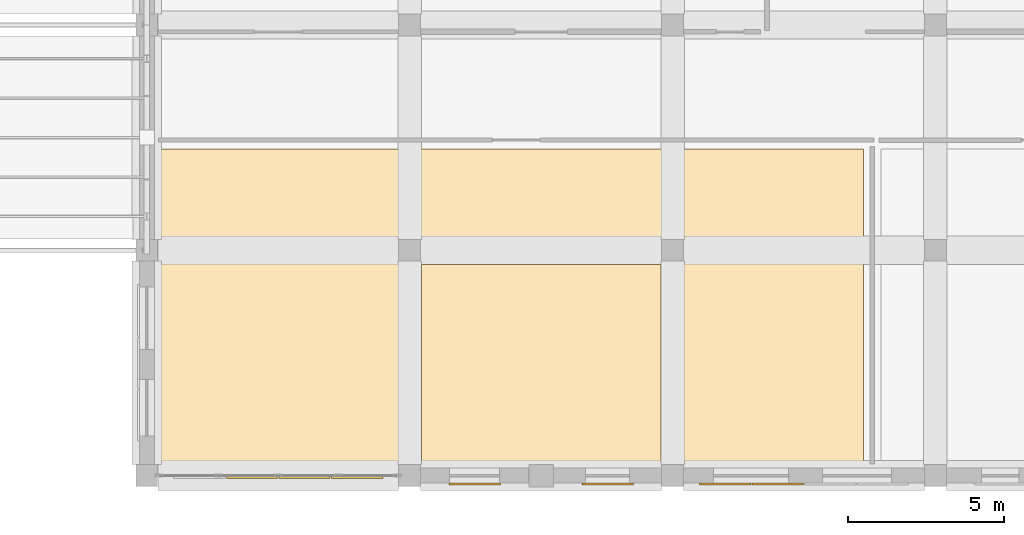
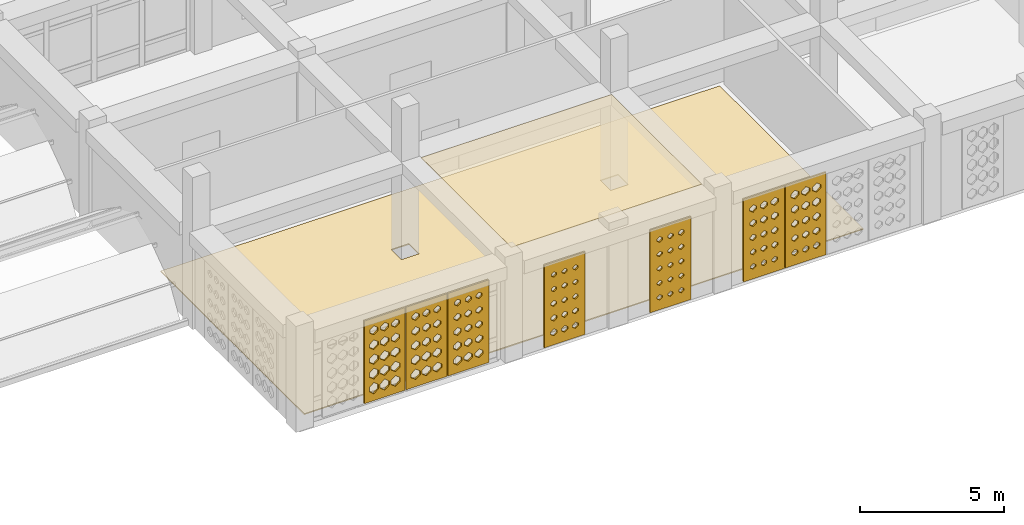
# One storey, part 79 of 100: 9 coverings.
"""IFC4 building model written with IfcOpenShell, lengths in metres."""

from ifc_helpers import new_model, si_unit, derived_unit, direction, frame, origin, place, context, subcontext, project, spatial, polyline, outline, extrude, material, layer, layer_set, type_object, element, save


model = new_model("IFC4")

# Units and contexts
model_context = context("Model", 3, precision=1e-05, world=origin(), true_north=direction((0.0, 1.0)))
body_context = subcontext(model_context, "Body", "Model", "MODEL_VIEW")
ifc_project = project(units=[si_unit("LENGTHUNIT", "METRE"), si_unit("AREAUNIT", "SQUARE_METRE"), si_unit("VOLUMEUNIT", "CUBIC_METRE"), si_unit("PLANEANGLEUNIT", "RADIAN"), si_unit("MASSUNIT", "GRAM", prefix="KILO"), derived_unit("THERMALTRANSMITTANCEUNIT", [(si_unit("POWERUNIT", "WATT"), 1), (si_unit("LENGTHUNIT", "METRE"), -2), (si_unit("THERMODYNAMICTEMPERATUREUNIT", "KELVIN"), -1)])], contexts=[model_context])

# Site, building, storey
site_placement = place(None, origin())
site = spatial("IfcSite", under=ifc_project, at=site_placement, CompositionType="ELEMENT")
building_placement = place(site_placement, origin())
building = spatial("IfcBuilding", under=site, at=building_placement, Name="Veybourne Emporium", CompositionType="ELEMENT")
storey_placement = place(building_placement, frame((0.0, 0.0, 14.39990234375)))
storey = spatial("IfcBuildingStorey", under=building, at=storey_placement, Name="L03", CompositionType="ELEMENT", Elevation=14.39990234375)

# Coverings
ifc_material_1 = material(Name="Mineral Acoustic Ceiling", Category="gypsum")
ifc_layer_1 = layer(ifc_material_1, 0.02490234375)
ifc_layer_set_1 = layer_set([ifc_layer_1], Name="Mineral Acoustic Ceiling")
covering_type_1 = type_object("IfcCoveringType", Name="Ceiling_CLG-01", PredefinedType="CEILING", material=ifc_layer_set_1)
covering_1_placement = place(storey_placement, frame((0.0, 0.0, 4.155029296875)))
element("IfcCovering", 1, at=covering_1_placement, inside=storey, type_object=covering_type_1, Name="L03 coffered acoustic ceiling 03", PredefinedType="CEILING", context=body_context, shape_type="SweptSolid", body=[
    extrude(outline(polyline([(108.826904296875, 6.751953125), (108.826904296875, 0.472900390625), (101.173095703125, 0.472900390625), (101.173095703125, 6.751953125), (108.826904296875, 6.751953125)])), origin(), (0.0, 0.0, 1.0), 0.025146484375),
])
ifc_material_2 = material(Name="Venetian Terrazzo Flooring", Category="masonry")
ifc_layer_2 = layer(ifc_material_2, 0.044921875)
ifc_layer_set_2 = layer_set([ifc_layer_2], Name="Venetian Terrazzo Flooring")
covering_type_2 = type_object("IfcCoveringType", Name="Flooring_FLR-01", PredefinedType="FLOORING", material=ifc_layer_set_2)
covering_2_placement = place(storey_placement, origin())
element("IfcCovering", 2, at=covering_2_placement, inside=storey, type_object=covering_type_2, Name="L03 floor finish 03", PredefinedType="FLOORING", context=body_context, shape_type="SweptSolid", body=[
    extrude(outline(polyline([(92.840087890625, 10.43994140625), (115.300048828125, 10.43994140625), (115.300048828125, 0.43994140625), (92.840087890625, 0.43994140625), (92.840087890625, 10.43994140625)]), holes=[polyline([(109.554931640625, 7.554931640625), (108.844970703125, 7.554931640625), (108.844970703125, 6.844970703125), (109.554931640625, 6.844970703125), (109.554931640625, 7.554931640625)]), polyline([(100.445068359375, 7.554931640625), (100.445068359375, 6.844970703125), (101.155029296875, 6.844970703125), (101.155029296875, 7.554931640625), (100.445068359375, 7.554931640625)])]), origin(), (0.0, 0.0, 1.0), 0.045166015625),
])
ifc_material_3 = material(Name="Warm-White Perforated Aluminium Screen Alloy", Category="aluminium")
ifc_layer_3 = layer(ifc_material_3, 0.06005859375)
ifc_layer_set_3 = layer_set([ifc_layer_3], Name="Warm-White Perforated Aluminium Screen Alloy")
covering_type_3 = type_object("IfcCoveringType", Name="WaveScreen_SCR-01", PredefinedType="CLADDING", material=ifc_layer_set_3)
covering_3_placement = place(storey_placement, frame((99.1201171875, -0.096923828125, 1.815185546875), z_axis=(0.0, 1.0, 0.0), x_axis=(-1.0, 0.0, 0.0)))
element("IfcCovering", 3, at=covering_3_placement, inside=storey, type_object=covering_type_3, Name="L03 wave-perforated aluminium screen SCR-01 (48C.1)", PredefinedType="CLADDING", context=body_context, shape_type="SweptSolid", body=[
    extrude(outline(polyline([(-0.81982421875, -1.7548828125), (0.81982421875, -1.7548828125), (0.81982421875, 1.7548828125), (-0.81982421875, 1.7548828125), (-0.81982421875, -1.7548828125)]), holes=[polyline([(-0.433349609375, -1.044921875), (-0.2734375, -1.162109375), (-0.2734375, -1.2939453125), (-0.433349609375, -1.4111328125), (-0.59326171875, -1.2939453125), (-0.59326171875, -1.162109375), (-0.433349609375, -1.044921875)]), polyline([(-0.433349609375, -0.444580078125), (-0.284912109375, -0.552978515625), (-0.284912109375, -0.675048828125), (-0.433349609375, -0.783203125), (-0.581787109375, -0.675048828125), (-0.581787109375, -0.552978515625), (-0.433349609375, -0.444580078125)]), polyline([(-0.433349609375, 0.156005859375), (-0.295654296875, 0.05615234375), (-0.295654296875, -0.05615234375), (-0.433349609375, -0.156005859375), (-0.571044921875, -0.05615234375), (-0.571044921875, 0.05615234375), (-0.433349609375, 0.156005859375)]), polyline([(-0.433349609375, 0.758056640625), (-0.305419921875, 0.665771484375), (-0.305419921875, 0.562255859375), (-0.433349609375, 0.469970703125), (-0.56103515625, 0.562255859375), (-0.56103515625, 0.665771484375), (-0.433349609375, 0.758056640625)]), polyline([(-0.433349609375, 1.361328125), (-0.314208984375, 1.27587890625), (-0.314208984375, 1.179931640625), (-0.433349609375, 1.0947265625), (-0.552490234375, 1.179931640625), (-0.552490234375, 1.27587890625), (-0.433349609375, 1.361328125)]), polyline([(0.0, -1.038330078125), (0.165283203125, -1.15966796875), (0.165283203125, -1.29638671875), (0.0, -1.41748046875), (-0.165283203125, -1.29638671875), (-0.165283203125, -1.15966796875), (0.0, -1.038330078125)]), polyline([(0.0, -0.4384765625), (0.153564453125, -0.55078125), (0.153564453125, -0.67724609375), (0.0, -0.78955078125), (-0.153564453125, -0.67724609375), (-0.153564453125, -0.55078125), (0.0, -0.4384765625)]), polyline([(0.0, 0.162109375), (0.142578125, 0.058349609375), (0.142578125, -0.058349609375), (0.0, -0.162109375), (-0.142578125, -0.058349609375), (-0.142578125, 0.058349609375), (0.0, 0.162109375)]), polyline([(0.0, 0.76318359375), (0.132080078125, 0.667724609375), (0.132080078125, 0.560302734375), (0.0, 0.464599609375), (-0.132080078125, 0.560302734375), (-0.132080078125, 0.667724609375), (0.0, 0.76318359375)]), polyline([(0.0, 1.365966796875), (0.122802734375, 1.277587890625), (0.122802734375, 1.17822265625), (0.0, 1.090087890625), (-0.122802734375, 1.17822265625), (-0.122802734375, 1.277587890625), (0.0, 1.365966796875)]), polyline([(0.433349609375, -1.031982421875), (0.603759765625, -1.157470703125), (0.603759765625, -1.298583984375), (0.433349609375, -1.424072265625), (0.262939453125, -1.298583984375), (0.262939453125, -1.157470703125), (0.433349609375, -1.031982421875)]), polyline([(0.433349609375, -0.43212890625), (0.59228515625, -0.548583984375), (0.59228515625, -0.679443359375), (0.433349609375, -0.7958984375), (0.2744140625, -0.679443359375), (0.2744140625, -0.548583984375), (0.433349609375, -0.43212890625)]), polyline([(0.433349609375, 0.168212890625), (0.580810546875, 0.060546875), (0.580810546875, -0.060546875), (0.433349609375, -0.168212890625), (0.285888671875, -0.060546875), (0.285888671875, 0.060546875), (0.433349609375, 0.168212890625)]), polyline([(0.433349609375, 0.76904296875), (0.570068359375, 0.669921875), (0.570068359375, 0.55810546875), (0.433349609375, 0.458984375), (0.296630859375, 0.55810546875), (0.296630859375, 0.669921875), (0.433349609375, 0.76904296875)]), polyline([(0.433349609375, 1.370849609375), (0.560302734375, 1.279541015625), (0.560302734375, 1.176513671875), (0.433349609375, 1.085205078125), (0.306396484375, 1.176513671875), (0.306396484375, 1.279541015625), (0.433349609375, 1.370849609375)])]), origin(), (0.0, 0.0, 1.0), 0.06005859375),
])
covering_4_placement = place(storey_placement, frame((107.125, -0.298095703125, 1.815185546875), z_axis=(0.0, 1.0, 0.0), x_axis=(-1.0, 0.0, 0.0)))
element("IfcCovering", 4, at=covering_4_placement, inside=storey, type_object=covering_type_3, Name="L03 wave-perforated aluminium screen SCR-01 (60A.1)", PredefinedType="CLADDING", context=body_context, shape_type="SweptSolid", body=[
    extrude(outline(polyline([(-0.81982421875, -1.7548828125), (0.81982421875, -1.7548828125), (0.81982421875, 1.7548828125), (-0.81982421875, 1.7548828125), (-0.81982421875, -1.7548828125)]), holes=[polyline([(-0.433349609375, -1.117919921875), (-0.333251953125, -1.1884765625), (-0.333251953125, -1.267578125), (-0.433349609375, -1.338134765625), (-0.533447265625, -1.267578125), (-0.533447265625, -1.1884765625), (-0.433349609375, -1.117919921875)]), polyline([(-0.433349609375, -0.50341796875), (-0.3330078125, -0.57421875), (-0.3330078125, -0.65380859375), (-0.433349609375, -0.724609375), (-0.53369140625, -0.65380859375), (-0.53369140625, -0.57421875), (-0.433349609375, -0.50341796875)]), polyline([(-0.433349609375, 0.113525390625), (-0.33056640625, 0.040771484375), (-0.33056640625, -0.040771484375), (-0.433349609375, -0.113525390625), (-0.5361328125, -0.040771484375), (-0.5361328125, 0.040771484375), (-0.433349609375, 0.113525390625)]), polyline([(-0.433349609375, 0.732666015625), (-0.326171875, 0.65673828125), (-0.326171875, 0.5712890625), (-0.433349609375, 0.495361328125), (-0.540283203125, 0.5712890625), (-0.540283203125, 0.65673828125), (-0.433349609375, 0.732666015625)]), polyline([(-0.433349609375, 1.35400390625), (-0.3203125, 1.2734375), (-0.3203125, 1.1826171875), (-0.433349609375, 1.101806640625), (-0.54638671875, 1.1826171875), (-0.54638671875, 1.2734375), (-0.433349609375, 1.35400390625)]), polyline([(0.0, -1.1171875), (0.1005859375, -1.18798828125), (0.1005859375, -1.267822265625), (0.0, -1.338623046875), (-0.1005859375, -1.267822265625), (-0.1005859375, -1.18798828125), (0.0, -1.1171875)]), polyline([(0.0, -0.50390625), (0.10009765625, -0.574462890625), (0.10009765625, -0.653564453125), (0.0, -0.72412109375), (-0.10009765625, -0.653564453125), (-0.10009765625, -0.574462890625), (0.0, -0.50390625)]), polyline([(0.0, 0.11181640625), (0.1015625, 0.040283203125), (0.1015625, -0.040283203125), (0.0, -0.11181640625), (-0.1015625, -0.040283203125), (-0.1015625, 0.040283203125), (0.0, 0.11181640625)]), polyline([(0.0, 0.72998046875), (0.10498046875, 0.65576171875), (0.10498046875, 0.572265625), (0.0, 0.498046875), (-0.10498046875, 0.572265625), (-0.10498046875, 0.65576171875), (0.0, 0.72998046875)]), polyline([(0.0, 1.350341796875), (0.110107421875, 1.272216796875), (0.110107421875, 1.183837890625), (0.0, 1.105712890625), (-0.110107421875, 1.183837890625), (-0.110107421875, 1.272216796875), (0.0, 1.350341796875)]), polyline([(0.433349609375, -1.1162109375), (0.534912109375, -1.187744140625), (0.534912109375, -1.268310546875), (0.433349609375, -1.33984375), (0.331787109375, -1.268310546875), (0.331787109375, -1.187744140625), (0.433349609375, -1.1162109375)]), polyline([(0.433349609375, -0.50390625), (0.533447265625, -0.574462890625), (0.533447265625, -0.653564453125), (0.433349609375, -0.72412109375), (0.333251953125, -0.653564453125), (0.333251953125, -0.574462890625), (0.433349609375, -0.50390625)]), polyline([(0.433349609375, 0.110595703125), (0.533935546875, 0.039794921875), (0.533935546875, -0.039794921875), (0.433349609375, -0.110595703125), (0.332763671875, -0.039794921875), (0.332763671875, 0.039794921875), (0.433349609375, 0.110595703125)]), polyline([(0.433349609375, 0.727783203125), (0.53662109375, 0.655029296875), (0.53662109375, 0.572998046875), (0.433349609375, 0.500244140625), (0.330078125, 0.572998046875), (0.330078125, 0.655029296875), (0.433349609375, 0.727783203125)]), polyline([(0.433349609375, 1.347412109375), (0.541015625, 1.27099609375), (0.541015625, 1.18505859375), (0.433349609375, 1.108642578125), (0.32568359375, 1.18505859375), (0.32568359375, 1.27099609375), (0.433349609375, 1.347412109375)])]), origin(), (0.0, 0.0, 1.0), 0.06005859375),
])
covering_5_placement = place(storey_placement, frame((102.875, -0.298095703125, 1.815185546875), z_axis=(0.0, 1.0, 0.0), x_axis=(-1.0, 0.0, 0.0)))
element("IfcCovering", 5, at=covering_5_placement, inside=storey, type_object=covering_type_3, Name="L03 wave-perforated aluminium screen SCR-01 (60B.1)", PredefinedType="CLADDING", context=body_context, shape_type="SweptSolid", body=[
    extrude(outline(polyline([(-0.81982421875, -1.7548828125), (0.81982421875, -1.7548828125), (0.81982421875, 1.7548828125), (-0.81982421875, 1.7548828125), (-0.81982421875, -1.7548828125)]), holes=[polyline([(-0.433349609375, -1.091796875), (-0.31201171875, -1.178955078125), (-0.31201171875, -1.277099609375), (-0.433349609375, -1.364013671875), (-0.5546875, -1.277099609375), (-0.5546875, -1.178955078125), (-0.433349609375, -1.091796875)]), polyline([(-0.433349609375, -0.4873046875), (-0.319580078125, -0.568359375), (-0.319580078125, -0.65966796875), (-0.433349609375, -0.740478515625), (-0.547119140625, -0.65966796875), (-0.547119140625, -0.568359375), (-0.433349609375, -0.4873046875)]), polyline([(-0.433349609375, 0.119140625), (-0.325927734375, 0.04296875), (-0.325927734375, -0.04296875), (-0.433349609375, -0.119140625), (-0.540771484375, -0.04296875), (-0.540771484375, 0.04296875), (-0.433349609375, 0.119140625)]), polyline([(-0.433349609375, 0.727783203125), (-0.330322265625, 0.65478515625), (-0.330322265625, 0.572998046875), (-0.433349609375, 0.500244140625), (-0.536376953125, 0.572998046875), (-0.536376953125, 0.65478515625), (-0.433349609375, 0.727783203125)]), polyline([(-0.433349609375, 1.338623046875), (-0.332763671875, 1.267822265625), (-0.332763671875, 1.18798828125), (-0.433349609375, 1.1171875), (-0.533935546875, 1.18798828125), (-0.533935546875, 1.267822265625), (-0.433349609375, 1.338623046875)]), polyline([(0.0, -1.0869140625), (0.125244140625, -1.17724609375), (0.125244140625, -1.27880859375), (0.0, -1.368896484375), (-0.125244140625, -1.27880859375), (-0.125244140625, -1.17724609375), (0.0, -1.0869140625)]), polyline([(0.0, -0.4833984375), (0.116943359375, -0.56689453125), (0.116943359375, -0.6611328125), (0.0, -0.74462890625), (-0.116943359375, -0.6611328125), (-0.116943359375, -0.56689453125), (0.0, -0.4833984375)]), polyline([(0.0, 0.122314453125), (0.110107421875, 0.0439453125), (0.110107421875, -0.0439453125), (0.0, -0.122314453125), (-0.110107421875, -0.0439453125), (-0.110107421875, 0.0439453125), (0.0, 0.122314453125)]), polyline([(0.0, 0.72998046875), (0.104736328125, 0.65576171875), (0.104736328125, 0.572265625), (0.0, 0.498046875), (-0.104736328125, 0.572265625), (-0.104736328125, 0.65576171875), (0.0, 0.72998046875)]), polyline([(0.0, 1.33984375), (0.1015625, 1.268310546875), (0.1015625, 1.187744140625), (0.0, 1.1162109375), (-0.1015625, 1.187744140625), (-0.1015625, 1.268310546875), (0.0, 1.33984375)]), polyline([(0.433349609375, -1.081787109375), (0.56298828125, -1.17529296875), (0.56298828125, -1.280517578125), (0.433349609375, -1.374267578125), (0.3037109375, -1.280517578125), (0.3037109375, -1.17529296875), (0.433349609375, -1.081787109375)]), polyline([(0.433349609375, -0.478759765625), (0.553955078125, -0.565185546875), (0.553955078125, -0.66259765625), (0.433349609375, -0.749267578125), (0.312744140625, -0.66259765625), (0.312744140625, -0.565185546875), (0.433349609375, -0.478759765625)]), polyline([(0.433349609375, 0.1259765625), (0.54638671875, 0.04541015625), (0.54638671875, -0.04541015625), (0.433349609375, -0.1259765625), (0.3203125, -0.04541015625), (0.3203125, 0.04541015625), (0.433349609375, 0.1259765625)]), polyline([(0.433349609375, 0.732421875), (0.540283203125, 0.65673828125), (0.540283203125, 0.5712890625), (0.433349609375, 0.49560546875), (0.326416015625, 0.5712890625), (0.326416015625, 0.65673828125), (0.433349609375, 0.732421875)]), polyline([(0.433349609375, 1.34130859375), (0.5361328125, 1.268798828125), (0.5361328125, 1.187255859375), (0.433349609375, 1.114501953125), (0.33056640625, 1.187255859375), (0.33056640625, 1.268798828125), (0.433349609375, 1.34130859375)])]), origin(), (0.0, 0.0, 1.0), 0.06005859375),
])
covering_6_placement = place(storey_placement, frame((112.56005859375, -0.298095703125, 1.815185546875), z_axis=(0.0, 1.0, 0.0), x_axis=(-1.0, 0.0, 0.0)))
element("IfcCovering", 6, at=covering_6_placement, inside=storey, type_object=covering_type_3, Name="L03 wave-perforated aluminium screen SCR-01 (62.3)", PredefinedType="CLADDING", context=body_context, shape_type="SweptSolid", body=[
    extrude(outline(polyline([(-0.81982421875, -1.7548828125), (0.81982421875, -1.7548828125), (0.81982421875, 1.7548828125), (-0.81982421875, 1.7548828125), (-0.81982421875, -1.7548828125)]), holes=[polyline([(-0.433349609375, -1.085205078125), (-0.306396484375, -1.176513671875), (-0.306396484375, -1.279296875), (-0.433349609375, -1.370849609375), (-0.560302734375, -1.279296875), (-0.560302734375, -1.176513671875), (-0.433349609375, -1.085205078125)]), polyline([(-0.433349609375, -0.458984375), (-0.296630859375, -0.558349609375), (-0.296630859375, -0.669677734375), (-0.433349609375, -0.768798828125), (-0.570068359375, -0.669677734375), (-0.570068359375, -0.558349609375), (-0.433349609375, -0.458984375)]), polyline([(-0.433349609375, 0.16796875), (-0.285888671875, 0.060546875), (-0.285888671875, -0.060546875), (-0.433349609375, -0.16796875), (-0.580810546875, -0.060546875), (-0.580810546875, 0.060546875), (-0.433349609375, 0.16796875)]), polyline([(-0.433349609375, 0.7958984375), (-0.274658203125, 0.679443359375), (-0.274658203125, 0.548583984375), (-0.433349609375, 0.43212890625), (-0.592041015625, 0.548583984375), (-0.592041015625, 0.679443359375), (-0.433349609375, 0.7958984375)]), polyline([(-0.433349609375, 1.424072265625), (-0.262939453125, 1.298583984375), (-0.262939453125, 1.157470703125), (-0.433349609375, 1.031982421875), (-0.603759765625, 1.157470703125), (-0.603759765625, 1.298583984375), (-0.433349609375, 1.424072265625)]), polyline([(0.0, -1.090087890625), (0.122802734375, -1.178466796875), (0.122802734375, -1.277587890625), (0.0, -1.365966796875), (-0.122802734375, -1.277587890625), (-0.122802734375, -1.178466796875), (0.0, -1.090087890625)]), polyline([(0.0, -0.46484375), (0.132080078125, -0.560302734375), (0.132080078125, -0.667724609375), (0.0, -0.76318359375), (-0.132080078125, -0.667724609375), (-0.132080078125, -0.560302734375), (0.0, -0.46484375)]), polyline([(0.0, 0.161865234375), (0.142578125, 0.058349609375), (0.142578125, -0.058349609375), (0.0, -0.161865234375), (-0.142578125, -0.058349609375), (-0.142578125, 0.058349609375), (0.0, 0.161865234375)]), polyline([(0.0, 0.78955078125), (0.153564453125, 0.67724609375), (0.153564453125, 0.55078125), (0.0, 0.4384765625), (-0.153564453125, 0.55078125), (-0.153564453125, 0.67724609375), (0.0, 0.78955078125)]), polyline([(0.0, 1.41748046875), (0.1650390625, 1.296142578125), (0.1650390625, 1.159912109375), (0.0, 1.03857421875), (-0.1650390625, 1.159912109375), (-0.1650390625, 1.296142578125), (0.0, 1.41748046875)]), polyline([(0.433349609375, -1.0947265625), (0.55224609375, -1.179931640625), (0.55224609375, -1.27587890625), (0.433349609375, -1.361083984375), (0.314208984375, -1.27587890625), (0.314208984375, -1.179931640625), (0.433349609375, -1.0947265625)]), polyline([(0.433349609375, -0.47021484375), (0.56103515625, -0.562255859375), (0.56103515625, -0.665771484375), (0.433349609375, -0.7578125), (0.3056640625, -0.665771484375), (0.3056640625, -0.562255859375), (0.433349609375, -0.47021484375)]), polyline([(0.433349609375, 0.156005859375), (0.571044921875, 0.05615234375), (0.571044921875, -0.05615234375), (0.433349609375, -0.156005859375), (0.295654296875, -0.05615234375), (0.295654296875, 0.05615234375), (0.433349609375, 0.156005859375)]), polyline([(0.433349609375, 0.783203125), (0.581787109375, 0.6748046875), (0.581787109375, 0.552978515625), (0.433349609375, 0.44482421875), (0.284912109375, 0.552978515625), (0.284912109375, 0.6748046875), (0.433349609375, 0.783203125)]), polyline([(0.433349609375, 1.4111328125), (0.593017578125, 1.2939453125), (0.593017578125, 1.162109375), (0.433349609375, 1.044921875), (0.2734375, 1.162109375), (0.2734375, 1.2939453125), (0.433349609375, 1.4111328125)])]), origin(), (0.0, 0.0, 1.0), 0.06005859375),
])
ifc_layer_4 = layer(ifc_material_3, 0.06005859375)
ifc_layer_set_4 = layer_set([ifc_layer_4], Name="Warm-White Perforated Aluminium Screen Alloy")
covering_type_4 = type_object("IfcCoveringType", Name="WaveScreen_SCR-02", PredefinedType="CLADDING", material=ifc_layer_set_4)
covering_7_placement = place(storey_placement, frame((97.43994140625, -0.096923828125, 1.815185546875), z_axis=(0.0, 1.0, 0.0), x_axis=(-1.0, 0.0, 0.0)))
element("IfcCovering", 7, at=covering_7_placement, inside=storey, type_object=covering_type_4, Name="L03 wave-perforated aluminium screen SCR-02 (48C.2)", PredefinedType="CLADDING", context=body_context, shape_type="SweptSolid", body=[
    extrude(outline(polyline([(-0.81982421875, -1.7548828125), (0.81982421875, -1.7548828125), (0.81982421875, 1.7548828125), (-0.81982421875, 1.7548828125), (-0.81982421875, -1.7548828125)]), holes=[polyline([(-0.433349609375, -1.02001953125), (-0.253173828125, -1.153076171875), (-0.253173828125, -1.302978515625), (-0.433349609375, -1.43603515625), (-0.613525390625, -1.302978515625), (-0.613525390625, -1.153076171875), (-0.433349609375, -1.02001953125)]), polyline([(-0.433349609375, -0.419921875), (-0.2646484375, -0.544189453125), (-0.2646484375, -0.683837890625), (-0.433349609375, -0.80810546875), (-0.60205078125, -0.683837890625), (-0.60205078125, -0.544189453125), (-0.433349609375, -0.419921875)]), polyline([(-0.433349609375, 0.1796875), (-0.276123046875, 0.064697265625), (-0.276123046875, -0.064697265625), (-0.433349609375, -0.1796875), (-0.590576171875, -0.064697265625), (-0.590576171875, 0.064697265625), (-0.433349609375, 0.1796875)]), polyline([(-0.433349609375, 0.780029296875), (-0.28759765625, 0.673828125), (-0.28759765625, 0.55419921875), (-0.433349609375, 0.447998046875), (-0.5791015625, 0.55419921875), (-0.5791015625, 0.673828125), (-0.433349609375, 0.780029296875)]), polyline([(-0.433349609375, 1.381103515625), (-0.298095703125, 1.283203125), (-0.298095703125, 1.1728515625), (-0.433349609375, 1.074951171875), (-0.568603515625, 1.1728515625), (-0.568603515625, 1.283203125), (-0.433349609375, 1.381103515625)]), polyline([(0.0, -1.013671875), (0.185302734375, -1.15087890625), (0.185302734375, -1.30517578125), (0.0, -1.4423828125), (-0.185302734375, -1.30517578125), (-0.185302734375, -1.15087890625), (0.0, -1.013671875)]), polyline([(0.0, -0.41357421875), (0.174072265625, -0.5419921875), (0.174072265625, -0.68603515625), (0.0, -0.814453125), (-0.174072265625, -0.68603515625), (-0.174072265625, -0.5419921875), (0.0, -0.41357421875)]), polyline([(0.0, 0.186279296875), (0.162353515625, 0.06689453125), (0.162353515625, -0.06689453125), (0.0, -0.186279296875), (-0.162353515625, -0.06689453125), (-0.162353515625, 0.06689453125), (0.0, 0.186279296875)]), polyline([(0.0, 0.7861328125), (0.15087890625, 0.676025390625), (0.15087890625, 0.552001953125), (0.0, 0.44189453125), (-0.15087890625, 0.552001953125), (-0.15087890625, 0.676025390625), (0.0, 0.7861328125)]), polyline([(0.0, 1.386962890625), (0.139892578125, 1.28515625), (0.139892578125, 1.1708984375), (0.0, 1.069091796875), (-0.139892578125, 1.1708984375), (-0.139892578125, 1.28515625), (0.0, 1.386962890625)]), polyline([(0.433349609375, -1.007568359375), (0.61962890625, -1.148681640625), (0.61962890625, -1.307373046875), (0.433349609375, -1.448486328125), (0.2470703125, -1.307373046875), (0.2470703125, -1.148681640625), (0.433349609375, -1.007568359375)]), polyline([(0.433349609375, -0.4072265625), (0.612548828125, -0.53955078125), (0.612548828125, -0.6884765625), (0.433349609375, -0.82080078125), (0.254150390625, -0.6884765625), (0.254150390625, -0.53955078125), (0.433349609375, -0.4072265625)]), polyline([(0.433349609375, 0.192626953125), (0.60107421875, 0.0693359375), (0.60107421875, -0.0693359375), (0.433349609375, -0.192626953125), (0.265625, -0.0693359375), (0.265625, 0.0693359375), (0.433349609375, 0.192626953125)]), polyline([(0.433349609375, 0.79248046875), (0.58935546875, 0.67822265625), (0.58935546875, 0.5498046875), (0.433349609375, 0.435546875), (0.27734375, 0.5498046875), (0.27734375, 0.67822265625), (0.433349609375, 0.79248046875)]), polyline([(0.433349609375, 1.392822265625), (0.578125, 1.287353515625), (0.578125, 1.168701171875), (0.433349609375, 1.063232421875), (0.28857421875, 1.168701171875), (0.28857421875, 1.287353515625), (0.433349609375, 1.392822265625)])]), origin(), (0.0, 0.0, 1.0), 0.06005859375),
])
covering_8_placement = place(storey_placement, frame((110.8798828125, -0.298095703125, 1.815185546875), z_axis=(0.0, 1.0, 0.0), x_axis=(-1.0, 0.0, 0.0)))
element("IfcCovering", 8, at=covering_8_placement, inside=storey, type_object=covering_type_4, Name="L03 wave-perforated aluminium screen SCR-02 (62.4)", PredefinedType="CLADDING", context=body_context, shape_type="SweptSolid", body=[
    extrude(outline(polyline([(-0.81982421875, -1.7548828125), (0.81982421875, -1.7548828125), (0.81982421875, 1.7548828125), (-0.81982421875, 1.7548828125), (-0.81982421875, -1.7548828125)]), holes=[polyline([(-0.433349609375, -1.1025390625), (-0.32080078125, -1.182861328125), (-0.32080078125, -1.273193359375), (-0.433349609375, -1.353515625), (-0.5458984375, -1.273193359375), (-0.5458984375, -1.182861328125), (-0.433349609375, -1.1025390625)]), polyline([(-0.433349609375, -0.479248046875), (-0.31298828125, -0.5654296875), (-0.31298828125, -0.66259765625), (-0.433349609375, -0.748779296875), (-0.553466796875, -0.66259765625), (-0.553466796875, -0.5654296875), (-0.433349609375, -0.479248046875)]), polyline([(-0.433349609375, 0.1455078125), (-0.30419921875, 0.052490234375), (-0.30419921875, -0.052490234375), (-0.433349609375, -0.1455078125), (-0.5625, -0.052490234375), (-0.5625, 0.052490234375), (-0.433349609375, 0.1455078125)]), polyline([(-0.433349609375, 0.77197265625), (-0.294189453125, 0.6708984375), (-0.294189453125, 0.55712890625), (-0.433349609375, 0.4560546875), (-0.572509765625, 0.55712890625), (-0.572509765625, 0.6708984375), (-0.433349609375, 0.77197265625)]), polyline([(-0.433349609375, 1.399169921875), (-0.283203125, 1.28955078125), (-0.283203125, 1.16650390625), (-0.433349609375, 1.056884765625), (-0.58349609375, 1.16650390625), (-0.58349609375, 1.28955078125), (-0.433349609375, 1.399169921875)]), polyline([(0.0, -1.106201171875), (0.10986328125, -1.18408203125), (0.10986328125, -1.27197265625), (0.0, -1.349853515625), (-0.10986328125, -1.27197265625), (-0.10986328125, -1.18408203125), (0.0, -1.106201171875)]), polyline([(0.0, -0.483642578125), (0.11669921875, -0.567138671875), (0.11669921875, -0.660888671875), (0.0, -0.744384765625), (-0.11669921875, -0.660888671875), (-0.11669921875, -0.567138671875), (0.0, -0.483642578125)]), polyline([(0.0, 0.140380859375), (0.125, 0.050537109375), (0.125, -0.050537109375), (0.0, -0.140380859375), (-0.125, -0.050537109375), (-0.125, 0.050537109375), (0.0, 0.140380859375)]), polyline([(0.0, 0.76611328125), (0.134521484375, 0.668701171875), (0.134521484375, 0.55908203125), (0.0, 0.4619140625), (-0.134521484375, 0.55908203125), (-0.134521484375, 0.668701171875), (0.0, 0.76611328125)]), polyline([(0.0, 1.39306640625), (0.14501953125, 1.287353515625), (0.14501953125, 1.168701171875), (0.0, 1.06298828125), (-0.14501953125, 1.168701171875), (-0.14501953125, 1.287353515625), (0.0, 1.39306640625)]), polyline([(0.433349609375, -1.109130859375), (0.54052734375, -1.185302734375), (0.54052734375, -1.270751953125), (0.433349609375, -1.3466796875), (0.326171875, -1.270751953125), (0.326171875, -1.185302734375), (0.433349609375, -1.109130859375)]), polyline([(0.433349609375, -0.48779296875), (0.546630859375, -0.568603515625), (0.546630859375, -0.659423828125), (0.433349609375, -0.740234375), (0.320068359375, -0.659423828125), (0.320068359375, -0.568603515625), (0.433349609375, -0.48779296875)]), polyline([(0.433349609375, 0.135498046875), (0.55419921875, 0.048828125), (0.55419921875, -0.048828125), (0.433349609375, -0.135498046875), (0.3125, -0.048828125), (0.3125, 0.048828125), (0.433349609375, 0.135498046875)]), polyline([(0.433349609375, 0.7607421875), (0.5634765625, 0.666748046875), (0.5634765625, 0.561279296875), (0.433349609375, 0.46728515625), (0.30322265625, 0.561279296875), (0.30322265625, 0.666748046875), (0.433349609375, 0.7607421875)]), polyline([(0.433349609375, 1.38720703125), (0.573486328125, 1.285400390625), (0.573486328125, 1.170654296875), (0.433349609375, 1.06884765625), (0.293212890625, 1.170654296875), (0.293212890625, 1.285400390625), (0.433349609375, 1.38720703125)])]), origin(), (0.0, 0.0, 1.0), 0.06005859375),
])
ifc_layer_5 = layer(ifc_material_3, 0.06005859375)
ifc_layer_set_5 = layer_set([ifc_layer_5], Name="Warm-White Perforated Aluminium Screen Alloy")
covering_type_5 = type_object("IfcCoveringType", Name="WaveScreen_SCR-03", PredefinedType="CLADDING", material=ifc_layer_set_5)
covering_9_placement = place(storey_placement, frame((95.760009765625, -0.096923828125, 1.815185546875), z_axis=(0.0, 1.0, 0.0), x_axis=(-1.0, 0.0, 0.0)))
element("IfcCovering", 9, at=covering_9_placement, inside=storey, type_object=covering_type_5, Name="L03 wave-perforated aluminium screen SCR-03 (48C.3)", PredefinedType="CLADDING", context=body_context, shape_type="SweptSolid", body=[
    extrude(outline(polyline([(-0.81982421875, -1.7548828125), (0.81982421875, -1.7548828125), (0.81982421875, 1.7548828125), (-0.81982421875, 1.7548828125), (-0.81982421875, -1.7548828125)]), holes=[polyline([(-0.433349609375, -0.99658203125), (-0.2470703125, -1.144775390625), (-0.2470703125, -1.311279296875), (-0.433349609375, -1.45947265625), (-0.61962890625, -1.311279296875), (-0.61962890625, -1.144775390625), (-0.433349609375, -0.99658203125)]), polyline([(-0.433349609375, -0.3955078125), (-0.2470703125, -0.535400390625), (-0.2470703125, -0.692626953125), (-0.433349609375, -0.83251953125), (-0.61962890625, -0.692626953125), (-0.61962890625, -0.535400390625), (-0.433349609375, -0.3955078125)]), polyline([(-0.433349609375, 0.20458984375), (-0.255859375, 0.07373046875), (-0.255859375, -0.07373046875), (-0.433349609375, -0.20458984375), (-0.61083984375, -0.07373046875), (-0.61083984375, 0.07373046875), (-0.433349609375, 0.20458984375)]), polyline([(-0.433349609375, 0.804443359375), (-0.267333984375, 0.6826171875), (-0.267333984375, 0.54541015625), (-0.433349609375, 0.423583984375), (-0.59912109375, 0.54541015625), (-0.59912109375, 0.6826171875), (-0.433349609375, 0.804443359375)]), polyline([(-0.433349609375, 1.404541015625), (-0.279052734375, 1.29150390625), (-0.279052734375, 1.16455078125), (-0.433349609375, 1.051513671875), (-0.587646484375, 1.16455078125), (-0.587646484375, 1.29150390625), (-0.433349609375, 1.404541015625)]), polyline([(0.0, -0.990966796875), (0.186279296875, -1.142578125), (0.186279296875, -1.313232421875), (0.0, -1.465087890625), (-0.186279296875, -1.313232421875), (-0.186279296875, -1.142578125), (0.0, -0.990966796875)]), polyline([(0.0, -0.389404296875), (0.186279296875, -0.533203125), (0.186279296875, -0.69482421875), (0.0, -0.83837890625), (-0.186279296875, -0.69482421875), (-0.186279296875, -0.533203125), (0.0, -0.389404296875)]), polyline([(0.0, 0.2109375), (0.1826171875, 0.075927734375), (0.1826171875, -0.075927734375), (0.0, -0.2109375), (-0.1826171875, -0.075927734375), (-0.1826171875, 0.075927734375), (0.0, 0.2109375)]), polyline([(0.0, 0.81103515625), (0.171142578125, 0.684814453125), (0.171142578125, 0.543212890625), (0.0, 0.4169921875), (-0.171142578125, 0.543212890625), (-0.171142578125, 0.684814453125), (0.0, 0.81103515625)]), polyline([(0.0, 1.410888671875), (0.15966796875, 1.293701171875), (0.15966796875, 1.162109375), (0.0, 1.045166015625), (-0.15966796875, 1.162109375), (-0.15966796875, 1.293701171875), (0.0, 1.410888671875)]), polyline([(0.433349609375, -0.985595703125), (0.61962890625, -1.140869140625), (0.61962890625, -1.315185546875), (0.433349609375, -1.47021484375), (0.2470703125, -1.315185546875), (0.2470703125, -1.140869140625), (0.433349609375, -0.985595703125)]), polyline([(0.433349609375, -0.3837890625), (0.61962890625, -0.531005859375), (0.61962890625, -0.697021484375), (0.433349609375, -0.84423828125), (0.2470703125, -0.697021484375), (0.2470703125, -0.531005859375), (0.433349609375, -0.3837890625)]), polyline([(0.433349609375, 0.21728515625), (0.61962890625, 0.078125), (0.61962890625, -0.078125), (0.433349609375, -0.21728515625), (0.2470703125, -0.078125), (0.2470703125, 0.078125), (0.433349609375, 0.21728515625)]), polyline([(0.433349609375, 0.8173828125), (0.609619140625, 0.687255859375), (0.609619140625, 0.540771484375), (0.433349609375, 0.41064453125), (0.2568359375, 0.540771484375), (0.2568359375, 0.687255859375), (0.433349609375, 0.8173828125)]), polyline([(0.433349609375, 1.417236328125), (0.59814453125, 1.296142578125), (0.59814453125, 1.159912109375), (0.433349609375, 1.038818359375), (0.2685546875, 1.159912109375), (0.2685546875, 1.296142578125), (0.433349609375, 1.417236328125)])]), origin(), (0.0, 0.0, 1.0), 0.06005859375),
])

save(model, "model.ifc")
